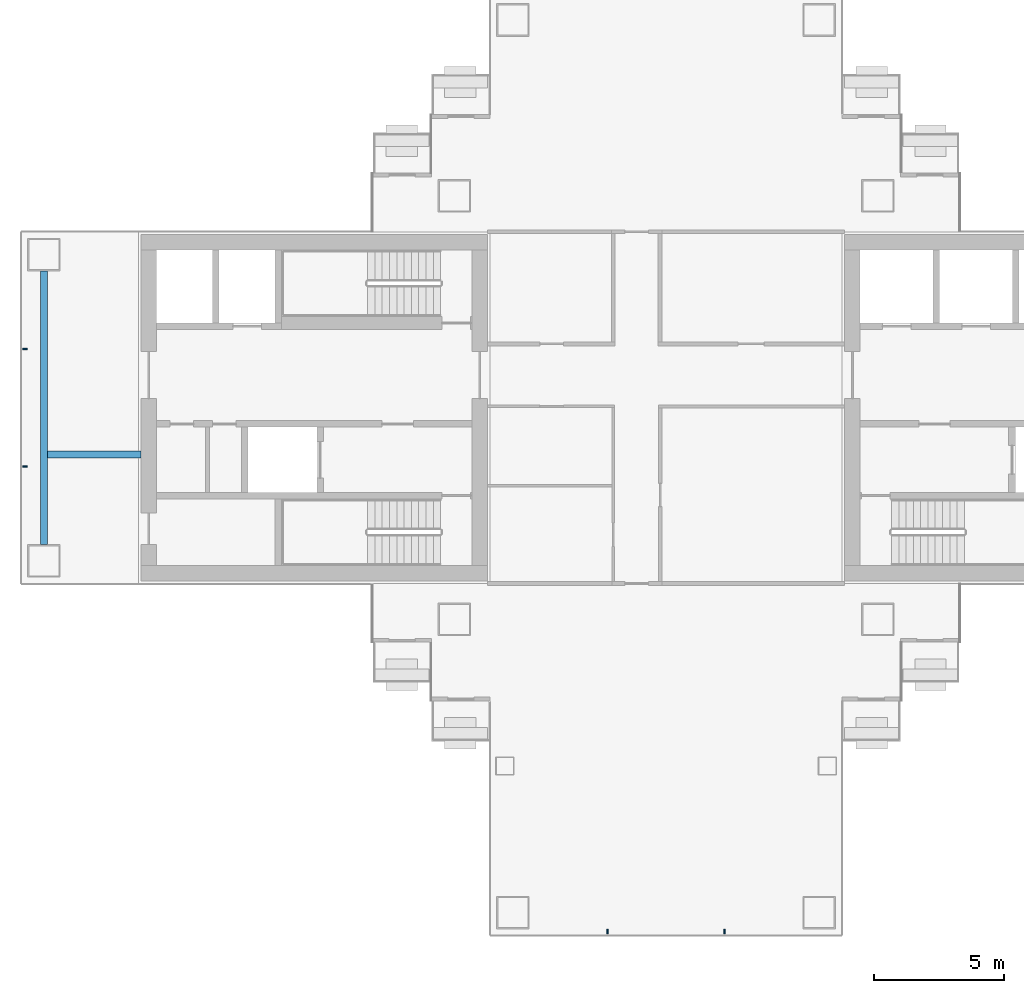
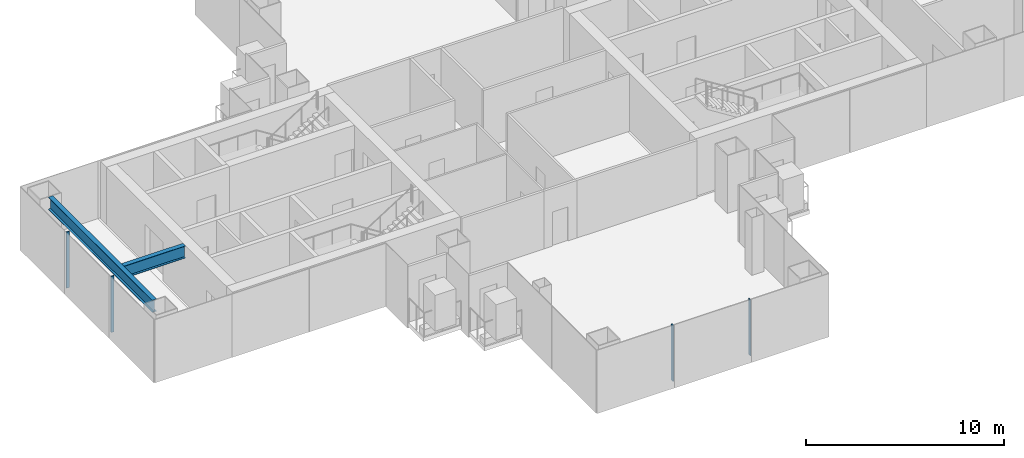
# One storey, part 3 of 19: 4 members, 2 beams, 2 elements without a shape of their own.
"""IFC4 building model written with IfcOpenShell, lengths in metres."""

from ifc_helpers import new_model, si_unit, direction, frame, origin, origin_2d, place, context, subcontext, project, spatial, rectangle, i_section, extrude, material, layer, layer_set, material_profile, profile_set, type_object, element, aggregate, save


model = new_model("IFC4")

# Units and contexts
model_context = context("Model", 3, precision=1e-05, world=origin(), true_north=direction((0.0, 1.0)))
body_context = subcontext(model_context, "Body", "Model", "MODEL_VIEW")
ifc_project = project(units=[si_unit("LENGTHUNIT", "METRE"), si_unit("AREAUNIT", "SQUARE_METRE"), si_unit("VOLUMEUNIT", "CUBIC_METRE"), si_unit("PLANEANGLEUNIT", "RADIAN"), si_unit("MASSUNIT", "GRAM", prefix="KILO")], contexts=[model_context])

# Site, building, storey
site_placement = place(None, origin())
site = spatial("IfcSite", under=ifc_project, at=site_placement, CompositionType="ELEMENT")
building_placement = place(site_placement, origin())
building = spatial("IfcBuilding", under=site, at=building_placement, Name="Shamsa Quay Exchange Towers", CompositionType="ELEMENT")
storey_placement = place(building_placement, frame((0.0, 0.0, 85.800048828125)))
storey = spatial("IfcBuildingStorey", under=building, at=storey_placement, Name="L19", CompositionType="ELEMENT", Elevation=85.800048828125)

# Curtain wall, members
ifc_material_1 = material(Name="Aluminium EN AW-6063 T6, black anodised", Category="aluminium")
ifc_layer = layer(ifc_material_1, 0.280029296875)
ifc_layer_set = layer_set([ifc_layer], Name="CW-1 UNITISED VISION GLASS")
curtain_wall_type = type_object("IfcCurtainWallType", Name="CW-1 UNITISED VISION GLASS", PredefinedType="NOTDEFINED", material=ifc_layer_set)
curtain_wall_1_placement = place(storey_placement, origin())
curtain_wall_1 = element("IfcCurtainWall", 1, at=curtain_wall_1_placement, inside=storey, type_object=curtain_wall_type, Name="CW1 T1-END-V- L19", PredefinedType="NOTDEFINED")
ifc_material_profile_1 = material_profile(ifc_material_1, rectangle(XDim=0.179931640625, YDim=0.06005859375, at=origin_2d()), Name="MU60x180")
ifc_profile_set_1 = profile_set([ifc_material_profile_1], Name="Aluminium EN AW-6063 T6, black anodised")
member_type = type_object("IfcMemberType", Name="CW1 MULLION 60x180", PredefinedType="MULLION", material=ifc_profile_set_1)
member_1_placement = place(storey_placement, frame((-36.0, -20.10009765625, 0.0), z_axis=(0.0, 0.0, 1.0), x_axis=(0.0, 1.0, 0.0)))
member_1 = element("IfcMember", 2, at=member_1_placement, type_object=member_type, Name="CW1 mullion", PredefinedType="MULLION", context=body_context, shape_type="SweptSolid", body=[
    extrude(rectangle(XDim=0.179931640625, YDim=0.06005859375, at=origin_2d()), origin(), (0.0, 0.0, 1.0), 3.449951171875),
])
member_2_placement = place(storey_placement, frame((-31.5, -20.10009765625, 0.0), z_axis=(0.0, 0.0, 1.0), x_axis=(0.0, 1.0, 0.0)))
member_2 = element("IfcMember", 3, at=member_2_placement, type_object=member_type, Name="CW1 mullion", PredefinedType="MULLION", context=body_context, shape_type="SweptSolid", body=[
    extrude(rectangle(XDim=0.179931640625, YDim=0.06005859375, at=origin_2d()), origin(), (0.0, 0.0, 1.0), 3.449951171875),
])
aggregate(curtain_wall_1, [member_1, member_2])

curtain_wall_2_placement = place(storey_placement, origin())
curtain_wall_2 = element("IfcCurtainWall", 4, at=curtain_wall_2_placement, inside=storey, type_object=curtain_wall_type, Name="CW1 T1-END-U- L19", PredefinedType="NOTDEFINED")
member_3_placement = place(storey_placement, frame((-58.35009765625, 2.25, 0.0)))
member_3 = element("IfcMember", 5, at=member_3_placement, type_object=member_type, Name="CW1 mullion", PredefinedType="MULLION", context=body_context, shape_type="SweptSolid", body=[
    extrude(rectangle(XDim=0.179931640625, YDim=0.06005859375, at=origin_2d()), origin(), (0.0, 0.0, 1.0), 3.449951171875),
])
member_4_placement = place(storey_placement, frame((-58.35009765625, -2.25, 0.0)))
member_4 = element("IfcMember", 6, at=member_4_placement, type_object=member_type, Name="CW1 mullion", PredefinedType="MULLION", context=body_context, shape_type="SweptSolid", body=[
    extrude(rectangle(XDim=0.179931640625, YDim=0.06005859375, at=origin_2d()), origin(), (0.0, 0.0, 1.0), 3.449951171875),
])
aggregate(curtain_wall_2, [member_3, member_4])

# Beams
ifc_material_2 = material(Name="Steel S355", Category="steel")
ifc_material_profile_2 = material_profile(ifc_material_2, i_section(OverallWidth=0.26611328125, OverallDepth=0.7578125, WebThickness=0.013916015625, FlangeThickness=0.019287109375, at=origin_2d()), Name="W30x108")
ifc_profile_set_2 = profile_set([ifc_material_profile_2], Name="Steel S355")
beam_type = type_object("IfcBeamType", Name="End-zone beam W30x108", PredefinedType="BEAM", material=ifc_profile_set_2)
beam_1_placement = place(storey_placement, frame((-57.625, -5.25, 3.171142578125), z_axis=(0.0, 1.0, 0.0), x_axis=(-1.0, 0.0, 0.0)))
element("IfcBeam", 7, at=beam_1_placement, inside=storey, type_object=beam_type, Name="End beam T1 U- end zone L19", PredefinedType="BEAM", context=body_context, shape_type="SweptSolid", body=[
    extrude(i_section(OverallWidth=0.26611328125, OverallDepth=0.7578125, WebThickness=0.013916015625, FlangeThickness=0.019287109375, at=origin_2d()), origin(), (0.0, 0.0, 1.0), 10.5),
])
beam_2_placement = place(storey_placement, frame((-53.89990234375, -1.800048828125, 3.171142578125), z_axis=(-1.0, 0.0, 0.0), x_axis=(0.0, -1.0, 0.0)))
element("IfcBeam", 8, at=beam_2_placement, inside=storey, type_object=beam_type, Name="Spine beam T1 U- end zone L19", PredefinedType="BEAM", context=body_context, shape_type="SweptSolid", body=[
    extrude(i_section(OverallWidth=0.26611328125, OverallDepth=0.7578125, WebThickness=0.013916015625, FlangeThickness=0.019287109375, at=origin_2d()), origin(), (0.0, 0.0, 1.0), 3.592041015625),
])

save(model, "model.ifc")
